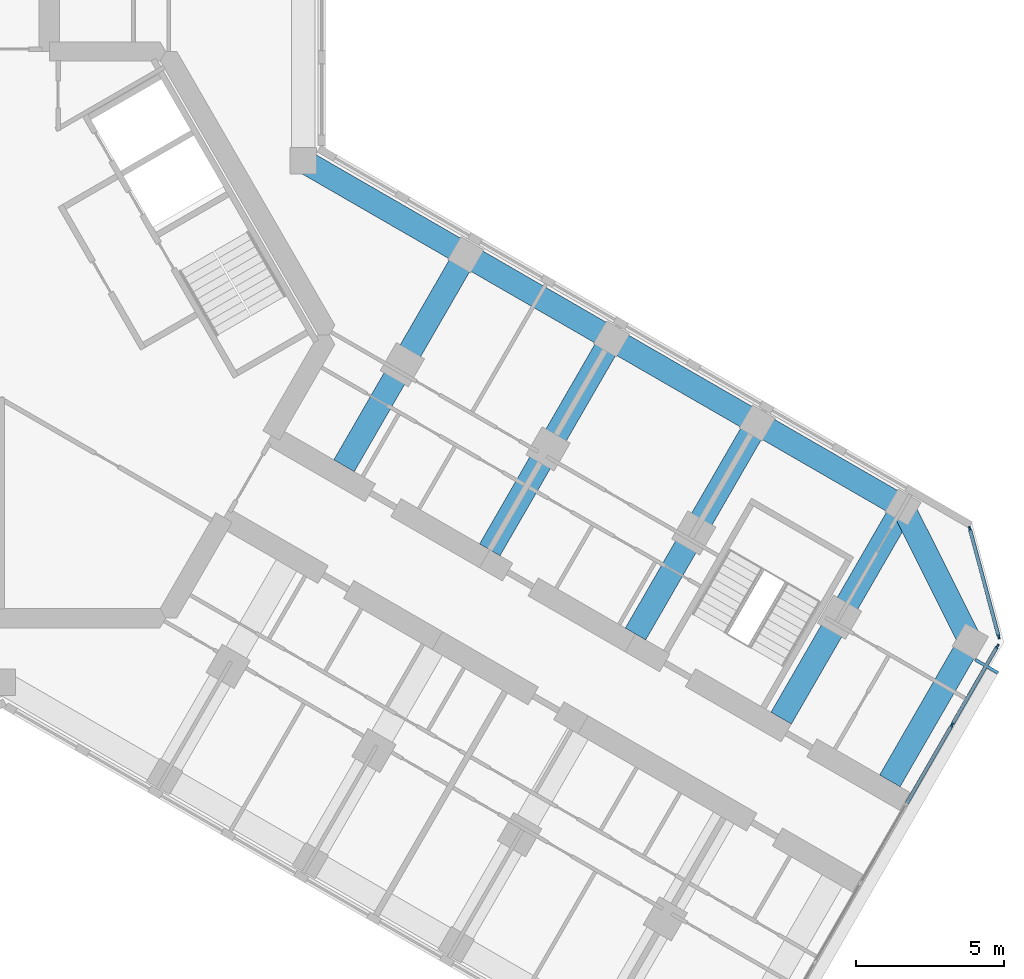
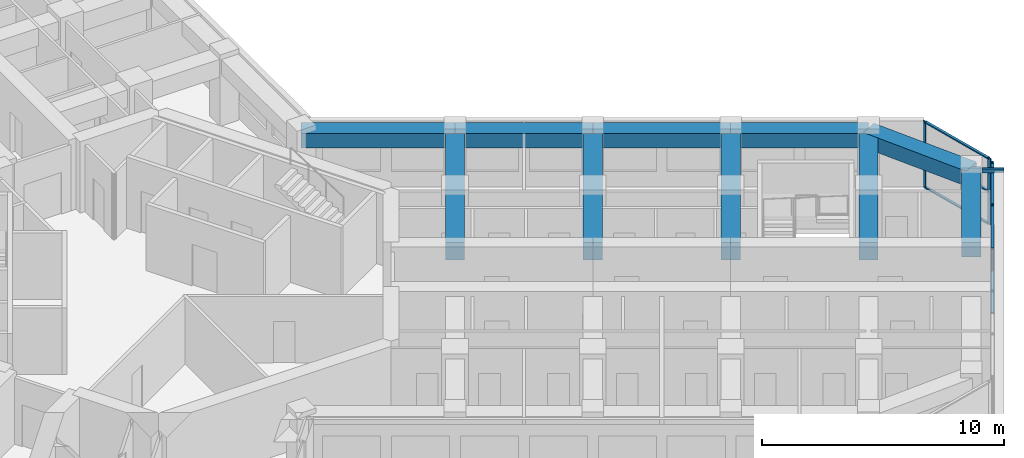
# One storey, part 5 of 16: 12 members, 10 beams, 2 elements without a shape of their own.
"""IFC4 building model written with IfcOpenShell, lengths in metres."""

from ifc_helpers import new_model, si_unit, direction, frame, origin, origin_2d, place, context, subcontext, project, spatial, rectangle, hollow_rectangle, extrude, material, material_profile, profile_set, type_object, element, aggregate, save


model = new_model("IFC4")

# Units and contexts
model_context = context("Model", 3, precision=1e-05, world=origin(), true_north=direction((0.0, 1.0)))
body_context = subcontext(model_context, "Body", "Model", "MODEL_VIEW")
ifc_project = project(units=[si_unit("LENGTHUNIT", "METRE"), si_unit("AREAUNIT", "SQUARE_METRE"), si_unit("VOLUMEUNIT", "CUBIC_METRE"), si_unit("PLANEANGLEUNIT", "RADIAN"), si_unit("MASSUNIT", "GRAM", prefix="KILO")], contexts=[model_context])

# Site, building, storey
site_placement = place(None, origin())
site = spatial("IfcSite", under=ifc_project, at=site_placement, CompositionType="ELEMENT")
building_placement = place(site_placement, origin())
building = spatial("IfcBuilding", under=site, at=building_placement, Name="Kosmar Iwan School Tower", CompositionType="ELEMENT")
storey_placement = place(building_placement, frame((0.0, 0.0, 208.199951171875)))
storey = spatial("IfcBuildingStorey", under=building, at=storey_placement, Name="L52", CompositionType="ELEMENT", Elevation=208.199951171875)

# Member
ifc_material_1 = material(Name="Steel S355", Category="steel")
ifc_material_profile_1 = material_profile(ifc_material_1, hollow_rectangle(XDim=0.10009765625, YDim=0.199951171875, WallThickness=0.008056640625, at=origin_2d()), Name="RHS 200x100x8")
ifc_profile_set_1 = profile_set([ifc_material_profile_1], Name="Steel S355")
member_type_1 = type_object("IfcMemberType", Name="Fin bracket RHS 200x100", PredefinedType="USERDEFINED", material=ifc_profile_set_1)
member_1_placement = place(storey_placement, frame((32.963134765625, -11.006103515625, 3.47509765625), z_axis=(0.866081705922, -0.499902469156, 0.0), x_axis=(0.499902469156, 0.866081705922, 0.0)))
element("IfcMember", 1, at=member_1_placement, inside=storey, type_object=member_type_1, Name="Fin bracket L53", ObjectType="FIN BRACKET", PredefinedType="USERDEFINED", context=body_context, shape_type="SweptSolid", body=[
    extrude(hollow_rectangle(XDim=0.10009765625, YDim=0.199951171875, WallThickness=0.008056640625, at=origin_2d()), origin(), (0.0, 0.0, 1.0), 0.900146484375),
])

# Curtain wall, members
ifc_material_2 = material(Name="Dark glass in black aluminium frame", Category="aluminium")
curtain_wall_type_1 = type_object("IfcCurtainWallType", Name="Tower curtain wall dark glass", PredefinedType="USERDEFINED", material=ifc_material_2)
curtain_wall_1_placement = place(storey_placement, origin())
curtain_wall_1 = element("IfcCurtainWall", 2, at=curtain_wall_1_placement, inside=storey, type_object=curtain_wall_type_1, Name="Curtain wall L52-F01", ObjectType="UNITISED CURTAIN WALL", PredefinedType="USERDEFINED")
ifc_material_3 = material(Name="Black anodised aluminium", Category="aluminium")
ifc_material_profile_2 = material_profile(ifc_material_3, rectangle(XDim=0.06005859375, YDim=0.159912109375, at=origin_2d()), Name="MULLION 60x160")
ifc_profile_set_2 = profile_set([ifc_material_profile_2], Name="Black anodised aluminium")
member_type_2 = type_object("IfcMemberType", Name="Mullion 60x160", PredefinedType="MULLION", material=ifc_profile_set_2)
member_2_placement = place(storey_placement, frame((32.1806640625, -13.21142578125, 0.0), z_axis=(0.0, 0.0, 1.0), x_axis=(-0.866025405329, 0.499999997325, 0.0)))
member_2 = element("IfcMember", 3, at=member_2_placement, type_object=member_type_2, Name="CW1 mullion 5", PredefinedType="MULLION", context=body_context, shape_type="SweptSolid", body=[
    extrude(rectangle(XDim=0.06005859375, YDim=0.159912109375, at=origin_2d()), origin(), (0.0, 0.0, 1.0), 3.35009765625),
])
member_3_placement = place(storey_placement, frame((33.71533203125, -10.55322265625, 0.0), z_axis=(0.0, 0.0, 1.0), x_axis=(-0.866025405329, 0.499999997325, 0.0)))
member_3 = element("IfcMember", 4, at=member_3_placement, type_object=member_type_2, Name="CW1 mullion 6", PredefinedType="MULLION", context=body_context, shape_type="SweptSolid", body=[
    extrude(rectangle(XDim=0.06005859375, YDim=0.159912109375, at=origin_2d()), origin(), (0.0, 0.0, 1.0), 3.35009765625),
])

ifc_material_4 = material(Name="Dark glass in black aluminium frame", Category="aluminium")
curtain_wall_type_2 = type_object("IfcCurtainWallType", Name="Chamfer curtain wall dark glass", PredefinedType="USERDEFINED", material=ifc_material_4)
curtain_wall_2_placement = place(storey_placement, origin())
curtain_wall_2 = element("IfcCurtainWall", 5, at=curtain_wall_2_placement, inside=storey, type_object=curtain_wall_type_2, Name="Curtain wall L52-F02", ObjectType="FACETED CURTAIN WALL", PredefinedType="USERDEFINED")
member_4_placement = place(storey_placement, frame((33.7587890625, -10.2236328125, 0.0), z_axis=(0.0, 0.0, 1.0), x_axis=(-0.965925875495, -0.258818861462, 0.0)))
member_4 = element("IfcMember", 6, at=member_4_placement, type_object=member_type_2, Name="CW2 mullion 1", PredefinedType="MULLION", context=body_context, shape_type="SweptSolid", body=[
    extrude(rectangle(XDim=0.06005859375, YDim=0.159912109375, at=origin_2d()), origin(), (0.0, 0.0, 1.0), 3.35009765625),
])
member_5_placement = place(storey_placement, frame((32.78076171875, -6.5732421875, 0.0), z_axis=(0.0, 0.0, 1.0), x_axis=(-0.965925875495, -0.258818861462, 0.0)))
member_5 = element("IfcMember", 7, at=member_5_placement, type_object=member_type_2, Name="CW2 mullion 2", PredefinedType="MULLION", context=body_context, shape_type="SweptSolid", body=[
    extrude(rectangle(XDim=0.06005859375, YDim=0.159912109375, at=origin_2d()), origin(), (0.0, 0.0, 1.0), 3.35009765625),
])

# Beams
ifc_material_5 = material(Name="Concrete C50/60", Category="concrete")
ifc_material_profile_3 = material_profile(ifc_material_5, rectangle(XDim=0.800048828125, YDim=0.75, at=origin_2d()), Name="RC 800x750")
ifc_profile_set_3 = profile_set([ifc_material_profile_3], Name="Concrete C50/60")
beam_type_1 = type_object("IfcBeamType", Name="RC edge beam 800x750", PredefinedType="BEAM", material=ifc_profile_set_3)
beam_1_placement = place(storey_placement, frame((10.199951171875, 5.888916015625, 2.97509765625), z_axis=(0.866030912664, -0.49999045822, 0.0), x_axis=(0.49999045822, 0.866030912664, 0.0)))
element("IfcBeam", 8, at=beam_1_placement, inside=storey, type_object=beam_type_1, Name="Edge beam CL1", PredefinedType="BEAM", context=body_context, shape_type="SweptSolid", body=[
    extrude(rectangle(XDim=0.800048828125, YDim=0.75, at=origin_2d()), origin(), (0.0, 0.0, 1.0), 6.36083984375),
])
beam_2_placement = place(storey_placement, frame((15.708740234375, 2.70849609375, 2.97509765625), z_axis=(0.866025820012, -0.499999279071, 0.0), x_axis=(0.499999279071, 0.866025820012, 0.0)))
element("IfcBeam", 9, at=beam_2_placement, inside=storey, type_object=beam_type_1, Name="Edge beam CL2", PredefinedType="BEAM", context=body_context, shape_type="SweptSolid", body=[
    extrude(rectangle(XDim=0.800048828125, YDim=0.75, at=origin_2d()), origin(), (0.0, 0.0, 1.0), 5.7001953125),
])
for number, where, z_axis, x_axis, name in (
    (10, (20.645263671875, -0.1416015625, 2.97509765625), (0.866033658841, -0.49998570155, 0.0), (0.49998570155, 0.866033658841, 0.0), "Edge beam CL3"),
    (11, (25.58154296875, -2.991455078125, 2.97509765625), (0.866015111908, -0.50001782563, 0.0), (0.50001782563, 0.866015111908, 0.0), "Edge beam CL4"),
):
    element("IfcBeam", number, at=place(storey_placement, frame(where, z_axis=z_axis, x_axis=x_axis)), inside=storey, type_object=beam_type_1, Name=name, PredefinedType="BEAM", context=body_context, shape_type="SweptSolid", body=[
        extrude(rectangle(XDim=0.800048828125, YDim=0.75, at=origin_2d()), origin(), (0.0, 0.0, 1.0), 5.699951171875),
    ])
ifc_material_6 = material(Name="Concrete C50/60", Category="concrete")
ifc_material_profile_4 = material_profile(ifc_material_6, rectangle(XDim=0.800048828125, YDim=0.75, at=origin_2d()), Name="RC 800x750")
ifc_profile_set_4 = profile_set([ifc_material_profile_4], Name="Concrete C50/60")
beam_type_2 = type_object("IfcBeamType", Name="RC tip beam 800x750", PredefinedType="BEAM", material=ifc_profile_set_4)
beam_3_placement = place(storey_placement, frame((30.517822265625, -5.841552734375, 2.97509765625), z_axis=(0.44809604203, -0.893985423325, 0.0), x_axis=(0.893985423325, 0.44809604203, 0.0)))
element("IfcBeam", 12, at=beam_3_placement, inside=storey, type_object=beam_type_2, Name="Tip beam CL", PredefinedType="BEAM", context=body_context, shape_type="SweptSolid", body=[
    extrude(rectangle(XDim=0.800048828125, YDim=0.75, at=origin_2d()), origin(), (0.0, 0.0, 1.0), 5.08935546875),
])
beam_4_placement = place(storey_placement, frame((32.79833984375, -10.391357421875, 2.97509765625), z_axis=(-0.49996933381, -0.866043108194, 0.0), x_axis=(0.866043108194, -0.49996933381, 0.0)))
element("IfcBeam", 13, at=beam_4_placement, inside=storey, type_object=beam_type_2, Name="Tip beam CL to corridor wall", PredefinedType="BEAM", context=body_context, shape_type="SweptSolid", body=[
    extrude(rectangle(XDim=0.800048828125, YDim=0.75, at=origin_2d()), origin(), (0.0, 0.0, 1.0), 5.449951171875),
])
ifc_material_7 = material(Name="Concrete C50/60", Category="concrete")
ifc_material_profile_5 = material_profile(ifc_material_7, rectangle(XDim=0.800048828125, YDim=0.89990234375, at=origin_2d()), Name="RC 800x900")
ifc_profile_set_5 = profile_set([ifc_material_profile_5], Name="Concrete C50/60")
beam_type_3 = type_object("IfcBeamType", Name="RC transverse beam 800x900", PredefinedType="BEAM", material=ifc_profile_set_5)
beam_5_placement = place(storey_placement, frame((15.708740234375, 2.70849609375, 2.900146484375), z_axis=(-0.499996545922, -0.866027397988, 0.0), x_axis=(0.866027397988, -0.499996545922, 0.0)))
element("IfcBeam", 14, at=beam_5_placement, inside=storey, type_object=beam_type_3, Name="Transverse beam CL1", PredefinedType="BEAM", context=body_context, shape_type="SweptSolid", body=[
    extrude(rectangle(XDim=0.800048828125, YDim=0.89990234375, at=origin_2d()), origin(), (0.0, 0.0, 1.0), 8.25),
])
beam_6_placement = place(storey_placement, frame((20.645263671875, -0.1416015625, 2.900146484375), z_axis=(-0.500009360108, -0.866019999656, 0.0), x_axis=(0.866019999656, -0.500009360108, 0.0)))
element("IfcBeam", 15, at=beam_6_placement, inside=storey, type_object=beam_type_3, Name="Transverse beam CL2", PredefinedType="BEAM", context=body_context, shape_type="SweptSolid", body=[
    extrude(rectangle(XDim=0.800048828125, YDim=0.89990234375, at=origin_2d()), origin(), (0.0, 0.0, 1.0), 8.249755859375),
])
for number, where, z_axis, x_axis, name in (
    (16, (25.58154296875, -2.991455078125, 2.900146484375), (-0.499996545922, -0.866027397988, 0.0), (0.866027397988, -0.499996545922, 0.0), "Transverse beam CL3"),
    (17, (30.517822265625, -5.841552734375, 2.900146484375), (-0.499996545922, -0.866027397988, 0.0), (0.866027397988, -0.499996545922, 0.0), "Transverse beam CL4"),
):
    element("IfcBeam", number, at=place(storey_placement, frame(where, z_axis=z_axis, x_axis=x_axis)), inside=storey, type_object=beam_type_3, Name=name, PredefinedType="BEAM", context=body_context, shape_type="SweptSolid", body=[
        extrude(rectangle(XDim=0.800048828125, YDim=0.89990234375, at=origin_2d()), origin(), (0.0, 0.0, 1.0), 8.25),
    ])

# Member
ifc_material_8 = material(Name="Black anodised aluminium", Category="aluminium")
ifc_material_profile_6 = material_profile(ifc_material_8, rectangle(XDim=0.1201171875, YDim=0.06005859375, at=origin_2d()), Name="TRANSOM 60x120")
ifc_profile_set_6 = profile_set([ifc_material_profile_6], Name="Black anodised aluminium")
member_type_3 = type_object("IfcMemberType", Name="Transom 60x120", PredefinedType="USERDEFINED", material=ifc_profile_set_6)
member_6_placement = place(storey_placement, frame((30.64599609375, -15.869384765625, 0.030029296875), z_axis=(0.500035348339, 0.866004994449, 0.0), x_axis=(-0.866004994449, 0.500035348339, 0.0)))
member_6 = element("IfcMember", 18, at=member_6_placement, type_object=member_type_3, Name="CW1 transom 4.1", ObjectType="TRANSOM", PredefinedType="USERDEFINED", context=body_context, shape_type="SweptSolid", body=[
    extrude(rectangle(XDim=0.1201171875, YDim=0.06005859375, at=origin_2d()), origin(), (0.0, 0.0, 1.0), 3.039306640625),
])

member_7_placement = place(storey_placement, frame((30.64599609375, -15.869384765625, 3.320068359375), z_axis=(0.500035348339, 0.866004994449, 0.0), x_axis=(-0.866004994449, 0.500035348339, 0.0)))
member_7 = element("IfcMember", 19, at=member_7_placement, type_object=member_type_3, Name="CW1 transom 4.2", ObjectType="TRANSOM", PredefinedType="USERDEFINED", context=body_context, shape_type="SweptSolid", body=[
    extrude(rectangle(XDim=0.1201171875, YDim=0.06005859375, at=origin_2d()), origin(), (0.0, 0.0, 1.0), 3.039306640625),
])

member_8_placement = place(storey_placement, frame((32.19580078125, -13.185302734375, 0.030029296875), z_axis=(0.500022102064, 0.866012642776, 0.0), x_axis=(-0.866012642776, 0.500022102064, 0.0)))
member_8 = element("IfcMember", 20, at=member_8_placement, type_object=member_type_3, Name="CW1 transom 5.1", ObjectType="TRANSOM", PredefinedType="USERDEFINED", context=body_context, shape_type="SweptSolid", body=[
    extrude(rectangle(XDim=0.1201171875, YDim=0.06005859375, at=origin_2d()), origin(), (0.0, 0.0, 1.0), 3.009033203125),
])

member_9_placement = place(storey_placement, frame((32.19580078125, -13.185302734375, 3.320068359375), z_axis=(0.500022102064, 0.866012642776, 0.0), x_axis=(-0.866012642776, 0.500022102064, 0.0)))
member_9 = element("IfcMember", 21, at=member_9_placement, type_object=member_type_3, Name="CW1 transom 5.2", ObjectType="TRANSOM", PredefinedType="USERDEFINED", context=body_context, shape_type="SweptSolid", body=[
    extrude(rectangle(XDim=0.1201171875, YDim=0.06005859375, at=origin_2d()), origin(), (0.0, 0.0, 1.0), 3.009033203125),
])

aggregate(curtain_wall_1, [member_2, member_3, member_6, member_7, member_8, member_9])

member_10_placement = place(storey_placement, frame((33.7509765625, -10.194580078125, 0.030029296875), z_axis=(-0.258843273983, 0.965919333854, 0.0), x_axis=(-0.965919333854, -0.258843273983, 0.0)))
member_10 = element("IfcMember", 22, at=member_10_placement, type_object=member_type_3, Name="CW2 transom 1.1", ObjectType="TRANSOM", PredefinedType="USERDEFINED", context=body_context, shape_type="SweptSolid", body=[
    extrude(rectangle(XDim=0.1201171875, YDim=0.06005859375, at=origin_2d()), origin(), (0.0, 0.0, 1.0), 3.718994140625),
])

member_11_placement = place(storey_placement, frame((33.7509765625, -10.194580078125, 1.675048828125), z_axis=(-0.258843273983, 0.965919333854, 0.0), x_axis=(-0.965919333854, -0.258843273983, 0.0)))
member_11 = element("IfcMember", 23, at=member_11_placement, type_object=member_type_3, Name="CW2 transom 1.2", ObjectType="TRANSOM", PredefinedType="USERDEFINED", context=body_context, shape_type="SweptSolid", body=[
    extrude(rectangle(XDim=0.1201171875, YDim=0.06005859375, at=origin_2d()), origin(), (0.0, 0.0, 1.0), 3.718994140625),
])

member_12_placement = place(storey_placement, frame((33.7509765625, -10.194580078125, 3.320068359375), z_axis=(-0.258843273983, 0.965919333854, 0.0), x_axis=(-0.965919333854, -0.258843273983, 0.0)))
member_12 = element("IfcMember", 24, at=member_12_placement, type_object=member_type_3, Name="CW2 transom 1.3", ObjectType="TRANSOM", PredefinedType="USERDEFINED", context=body_context, shape_type="SweptSolid", body=[
    extrude(rectangle(XDim=0.1201171875, YDim=0.06005859375, at=origin_2d()), origin(), (0.0, 0.0, 1.0), 3.718994140625),
])

aggregate(curtain_wall_2, [member_4, member_5, member_10, member_11, member_12])

save(model, "model.ifc")
